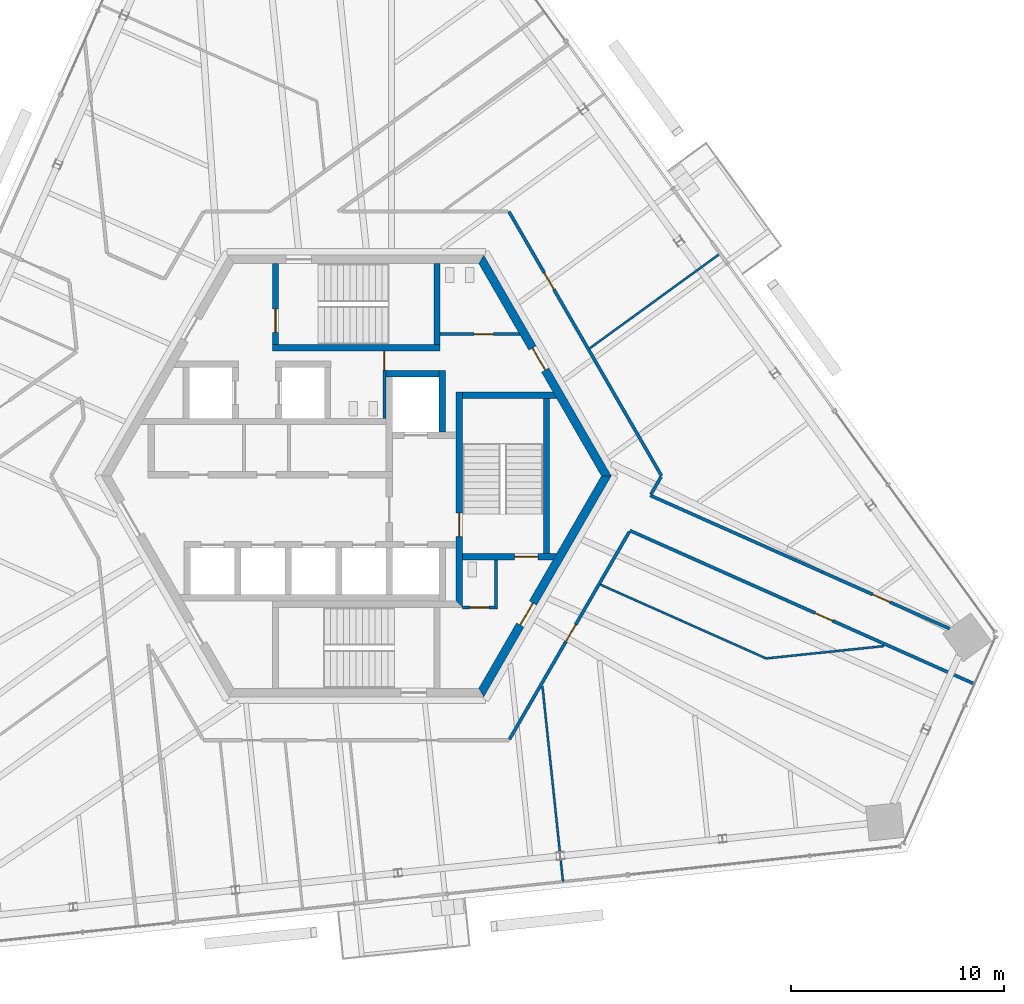
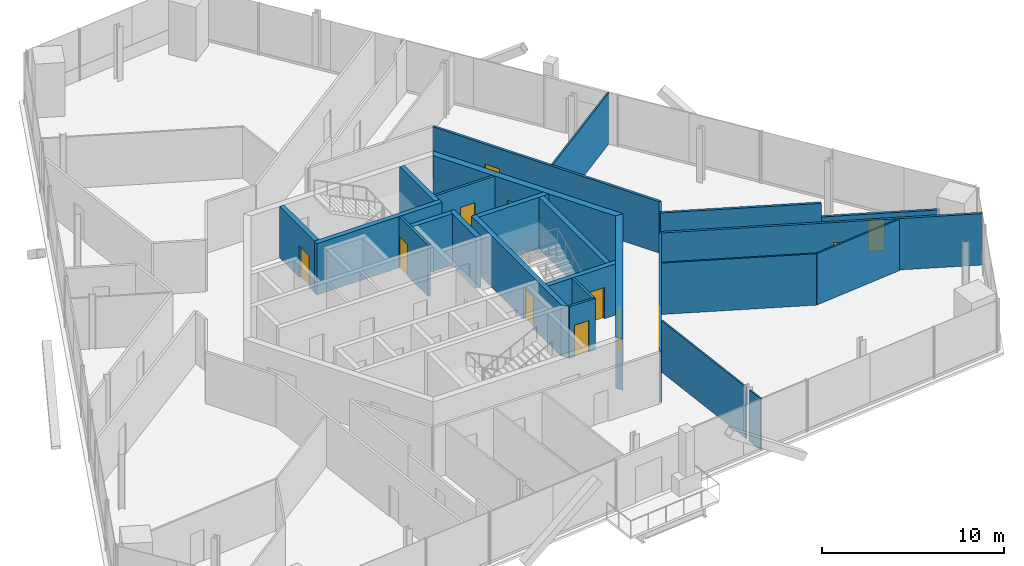
# One storey, part 13 of 18: 26 walls, 12 doors, 12 openings.
"""IFC4 building model written with IfcOpenShell, lengths in metres."""

from ifc_helpers import new_model, si_unit, direction, frame, frame_2d, origin, place, context, subcontext, project, spatial, polyline, rectangle, outline, extrude, source, transform, mapped, material, layer, layer_set, type_object, element, fill, save


model = new_model("IFC4")

# Units and contexts
model_context = context("Model", 3, precision=1e-05, world=origin(), true_north=direction((0.0, 1.0)))
body_context = subcontext(model_context, "Body", "Model", "MODEL_VIEW")
ifc_project = project(units=[si_unit("LENGTHUNIT", "METRE"), si_unit("AREAUNIT", "SQUARE_METRE"), si_unit("VOLUMEUNIT", "CUBIC_METRE"), si_unit("PLANEANGLEUNIT", "RADIAN"), si_unit("MASSUNIT", "GRAM", prefix="KILO")], contexts=[model_context])

# Site, building, storey
site_placement = place(None, origin())
site = spatial("IfcSite", under=ifc_project, at=site_placement, CompositionType="ELEMENT")
building_placement = place(site_placement, origin())
building = spatial("IfcBuilding", under=site, at=building_placement, Name="Triune Harvest Tower", CompositionType="ELEMENT")
storey_placement = place(building_placement, frame((0.0, 0.0, 230.5)))
storey = spatial("IfcBuildingStorey", under=building, at=storey_placement, Name="L60", CompositionType="ELEMENT", Elevation=230.5)

# Walls
ifc_material_1 = material(Name="Gypsum board on steel studs", Category="steel")
ifc_layer_1 = layer(ifc_material_1, 0.10009765625)
ifc_layer_set_1 = layer_set([ifc_layer_1], Name="Gypsum board on steel studs")
wall_type_1 = type_object("IfcWallType", Name="Partition 100 mm", PredefinedType="PARTITIONING", material=ifc_layer_set_1)
wall_1_placement = place(storey_placement, frame((8.761962890625, -9.896484375, 0.0), z_axis=(0.0, 0.0, 1.0), x_axis=(0.104526367367, -0.994522115654, 0.0)))
element("IfcWall", 1, at=wall_1_placement, inside=storey, type_object=wall_type_1, Name="Partition L60 011", PredefinedType="PARTITIONING", context=body_context, shape_type="SweptSolid", body=[
    extrude(rectangle(XDim=7.86181640625, YDim=0.10009765625, at=frame_2d((3.930908203125, 0.0))), origin(), (0.0, 0.0, 1.0), 3.43994140625),
])
wall_2_placement = place(storey_placement, frame((10.974365234375, 5.99560546875, 0.0), z_axis=(0.0, 0.0, 1.0), x_axis=(0.809019334215, 0.587782031766, 0.0)))
element("IfcWall", 2, at=wall_2_placement, inside=storey, type_object=wall_type_1, Name="Partition L60 032", PredefinedType="PARTITIONING", context=body_context, shape_type="SweptSolid", body=[
    extrude(rectangle(XDim=7.60107421875, YDim=0.10009765625, at=frame_2d((3.800537109375, 0.0))), origin(), (0.0, 0.0, 1.0), 3.43994140625),
])

# Wall, opening, door
ifc_material_2 = material(Name="Concrete 70 MPa", Category="concrete")
ifc_layer_2 = layer(ifc_material_2, 0.39990234375)
ifc_layer_set_2 = layer_set([ifc_layer_2], Name="Concrete 70 MPa")
wall_type_2 = type_object("IfcWallType", Name="Core wall 400", PredefinedType="SHEAR", material=ifc_layer_set_2)
shared_shape_1 = source(origin(), body_context, "Body", "SweptSolid", [
    extrude(outline(polyline([(-0.115478515625, -0.199951171875), (11.884521484375, -0.199951171875), (11.653564453125, 0.199951171875), (0.115478515625, 0.199951171875), (-0.115478515625, -0.199951171875)])), origin(), (0.0, 0.0, 1.0), 3.43994140625),
])
wall_3_placement = place(storey_placement, frame((11.76904296875, 0.0, 0.0), z_axis=(0.0, 0.0, 1.0), x_axis=(-0.499996592174, 0.866027371285, 0.0)))
wall_3 = element("IfcWall", 3, at=wall_3_placement, inside=storey, type_object=wall_type_2, Name="Hexagon 0 wall", PredefinedType="SHEAR", context=body_context, shape_type="MappedRepresentation", body=[
    mapped(shared_shape_1, transform((0.0, 0.0, 0.0), scale=1.0)),
])
opening_1_placement = place(wall_3_placement, frame((5.75048828125, 0.0, 0.0)))
opening_1 = element("IfcOpeningElement", 4, at=opening_1_placement, cuts=wall_3, Name="Opening CD-WCP", PredefinedType="OPENING", context=body_context, shape_type="SweptSolid", body=[
    extrude(rectangle(XDim=1.199951171875, YDim=2.10009765625, at=frame_2d((0.60009765625, 1.050048828125))), frame((0.0, 0.2099609375, 0.0), z_axis=(0.0, -1.0, 0.0), x_axis=(1.0, 0.0, 0.0)), (0.0, 0.0, 1.0), 0.419921875),
])
ifc_material_3 = material(Name="Steel S235", Category="steel")
door_type_1 = type_object("IfcDoorType", Name="Lobby door 1200 FD120", OperationType="SINGLE_SWING_LEFT", PredefinedType="DOOR", material=ifc_material_3)
door_1_placement = place(opening_1_placement, frame((1.199951171875, 0.0, 0.0), z_axis=(0.0, 0.0, 1.0), x_axis=(-1.0, 0.0, 0.0)))
door_1 = element("IfcDoor", 5, at=door_1_placement, inside=storey, type_object=door_type_1, Name="Door CD-WCP", OperationType="SINGLE_SWING_RIGHT", OverallHeight=2.10009765625, OverallWidth=1.199951171875, PredefinedType="DOOR", context=body_context, shape_type="SweptSolid", body=[
    extrude(rectangle(XDim=1.199951171875, YDim=2.10009765625, at=frame_2d((0.60009765625, 1.050048828125))), frame((0.0, 0.02490234375, 0.0), z_axis=(0.0, -1.0, 0.0), x_axis=(1.0, 0.0, 0.0)), (0.0, 0.0, 1.0), 0.050048828125),
])
fill(opening_1, door_1)

wall_4_placement = place(storey_placement, frame((5.884521484375, -10.1923828125, 0.0), z_axis=(0.0, 0.0, 1.0), x_axis=(0.499996592174, 0.866027371285, 0.0)))
wall_4 = element("IfcWall", 6, at=wall_4_placement, inside=storey, type_object=wall_type_2, Name="Hexagon 5 wall", PredefinedType="SHEAR", context=body_context, shape_type="MappedRepresentation", body=[
    mapped(shared_shape_1, transform((0.0, 0.0, 0.0), scale=1.0)),
])
opening_2_placement = place(wall_4_placement, frame((3.66455078125, 0.0, 0.0)))
opening_2 = element("IfcOpeningElement", 7, at=opening_2_placement, cuts=wall_4, Name="Opening CD-DP", PredefinedType="OPENING", context=body_context, shape_type="SweptSolid", body=[
    extrude(rectangle(XDim=1.199951171875, YDim=2.10009765625, at=frame_2d((0.60009765625, 1.050048828125))), frame((0.0, 0.2099609375, 0.0), z_axis=(0.0, -1.0, 0.0), x_axis=(1.0, 0.0, 0.0)), (0.0, 0.0, 1.0), 0.419921875),
])
ifc_material_4 = material(Name="Steel S235", Category="steel")
door_type_2 = type_object("IfcDoorType", Name="Stair door 1200 FD120", OperationType="SINGLE_SWING_LEFT", PredefinedType="DOOR", material=ifc_material_4)
door_2_placement = place(opening_2_placement, frame((1.199951171875, 0.0, 0.0), z_axis=(0.0, 0.0, 1.0), x_axis=(-1.0, 0.0, 0.0)))
door_2 = element("IfcDoor", 8, at=door_2_placement, inside=storey, type_object=door_type_2, Name="Door CD-DP", OperationType="SINGLE_SWING_RIGHT", OverallHeight=2.10009765625, OverallWidth=1.199951171875, PredefinedType="DOOR", context=body_context, shape_type="SweptSolid", body=[
    extrude(rectangle(XDim=1.199951171875, YDim=2.10009765625, at=frame_2d((0.60009765625, 1.050048828125))), frame((0.0, 0.02490234375, 0.0), z_axis=(0.0, -1.0, 0.0), x_axis=(1.0, 0.0, 0.0)), (0.0, 0.0, 1.0), 0.050048828125),
])
fill(opening_2, door_2)

# Walls
ifc_material_5 = material(Name="Concrete 70 MPa", Category="concrete")
ifc_layer_3 = layer(ifc_material_5, 0.300048828125)
ifc_layer_set_3 = layer_set([ifc_layer_3], Name="Concrete 70 MPa")
wall_type_3 = type_object("IfcWallType", Name="Core wall 300", PredefinedType="SHEAR", material=ifc_layer_set_3)
shared_shape_2 = source(origin(), body_context, "Body", "SweptSolid", [
    extrude(rectangle(XDim=2.5, YDim=0.300048828125, at=frame_2d((1.25, 0.0))), origin(), (0.0, 0.0, 1.0), 3.43994140625),
])
wall_5_placement = place(storey_placement, frame((1.39990234375, 4.81005859375, 0.0), z_axis=(0.0, 0.0, 1.0), x_axis=(1.0, 0.0, 0.0)))
element("IfcWall", 9, at=wall_5_placement, inside=storey, type_object=wall_type_3, Name="Ff1 back wall", PredefinedType="SHEAR", context=body_context, shape_type="MappedRepresentation", body=[
    mapped(shared_shape_2, transform((0.0, 0.0, 0.0), scale=1.0)),
])
shared_shape_3 = source(origin(), body_context, "Body", "SweptSolid", [
    extrude(rectangle(XDim=2.89990234375, YDim=0.300048828125, at=frame_2d((1.449951171875, 0.0))), origin(), (0.0, 0.0, 1.0), 3.43994140625),
])
wall_6_placement = place(storey_placement, frame((4.050048828125, 2.06005859375, 0.0), z_axis=(0.0, 0.0, 1.0), x_axis=(0.0, 1.0, 0.0)))
element("IfcWall", 10, at=wall_6_placement, inside=storey, type_object=wall_type_3, Name="Ff1 east wall", PredefinedType="SHEAR", context=body_context, shape_type="MappedRepresentation", body=[
    mapped(shared_shape_3, transform((0.0, 0.0, 0.0), scale=1.0)),
])

# Wall, opening, door
shared_shape_4 = source(origin(), body_context, "Body", "SweptSolid", [
    extrude(outline(polyline([(-0.14990234375, -0.14990234375), (9.989990234375, -0.14990234375), (9.989990234375, 0.14990234375), (0.14990234375, 0.14990234375), (-0.14990234375, -0.14990234375)])), origin(), (0.0, 0.0, 1.0), 3.43994140625),
])
wall_7_placement = place(storey_placement, frame((4.85009765625, -6.0400390625, 0.0), z_axis=(0.0, 0.0, 1.0), x_axis=(0.0, 1.0, 0.0)))
wall_7 = element("IfcWall", 11, at=wall_7_placement, inside=storey, type_object=wall_type_3, Name="Stair e west wall", PredefinedType="SHEAR", context=body_context, shape_type="MappedRepresentation", body=[
    mapped(shared_shape_4, transform((0.0, 0.0, 0.0), scale=1.0)),
])
opening_3_placement = place(wall_7_placement, frame((3.18994140625, 0.0, 0.0)))
opening_3 = element("IfcOpeningElement", 12, at=opening_3_placement, cuts=wall_7, Name="Opening CD-S3L", PredefinedType="OPENING", context=body_context, shape_type="SweptSolid", body=[
    extrude(rectangle(XDim=1.10009765625, YDim=2.10009765625, at=frame_2d((0.550048828125, 1.050048828125))), frame((0.0, 0.16015625, 0.0), z_axis=(0.0, -1.0, 0.0), x_axis=(1.0, 0.0, 0.0)), (0.0, 0.0, 1.0), 0.320068359375),
])
ifc_material_6 = material(Name="Steel S235", Category="steel")
door_type_3 = type_object("IfcDoorType", Name="Stair door 1100 FD120", OperationType="SINGLE_SWING_LEFT", PredefinedType="DOOR", material=ifc_material_6)
door_3_placement = place(opening_3_placement, frame((1.10009765625, 0.0, 0.0), z_axis=(0.0, 0.0, 1.0), x_axis=(-1.0, 0.0, 0.0)))
door_3 = element("IfcDoor", 13, at=door_3_placement, inside=storey, type_object=door_type_3, Name="Door CD-S3L", OperationType="SINGLE_SWING_RIGHT", OverallHeight=2.10009765625, OverallWidth=1.10009765625, PredefinedType="DOOR", context=body_context, shape_type="SweptSolid", body=[
    extrude(rectangle(XDim=1.10009765625, YDim=2.10009765625, at=frame_2d((0.550048828125, 1.050048828125))), frame((0.0, 0.02490234375, 0.0), z_axis=(0.0, -1.0, 0.0), x_axis=(1.0, 0.0, 0.0)), (0.0, 0.0, 1.0), 0.050048828125),
])
fill(opening_3, door_3)

# Wall
shared_shape_5 = source(origin(), body_context, "Body", "SweptSolid", [
    extrude(outline(polyline([(0.0, -0.14990234375), (0.0, 0.14990234375), (4.260009765625, 0.14990234375), (4.43310546875, -0.14990234375), (0.0, -0.14990234375)])), origin(), (0.0, 0.0, 1.0), 3.43994140625),
])
wall_8_placement = place(storey_placement, frame((5.0, 3.800048828125, 0.0), z_axis=(0.0, 0.0, 1.0), x_axis=(1.0, 0.0, 0.0)))
element("IfcWall", 14, at=wall_8_placement, inside=storey, type_object=wall_type_3, Name="Stair e north wall", PredefinedType="SHEAR", context=body_context, shape_type="MappedRepresentation", body=[
    mapped(shared_shape_5, transform((0.0, 0.0, 0.0), scale=1.0)),
])

# Wall, opening, door
shared_shape_6 = source(origin(), body_context, "Body", "SweptSolid", [
    extrude(outline(polyline([(0.0, -0.14990234375), (0.0, 0.14990234375), (4.43310546875, 0.14990234375), (4.260009765625, -0.14990234375), (0.0, -0.14990234375)])), origin(), (0.0, 0.0, 1.0), 3.43994140625),
])
wall_9_placement = place(storey_placement, frame((5.0, -3.800048828125, 0.0), z_axis=(0.0, 0.0, 1.0), x_axis=(1.0, 0.0, 0.0)))
wall_9 = element("IfcWall", 15, at=wall_9_placement, inside=storey, type_object=wall_type_3, Name="Stair e south wall", PredefinedType="SHEAR", context=body_context, shape_type="MappedRepresentation", body=[
    mapped(shared_shape_6, transform((0.0, 0.0, 0.0), scale=1.0)),
])
opening_4_placement = place(wall_9_placement, frame((2.449951171875, 0.0, 0.0)))
opening_4 = element("IfcOpeningElement", 16, at=opening_4_placement, cuts=wall_9, Name="Opening CD-S3D", PredefinedType="OPENING", context=body_context, shape_type="SweptSolid", body=[
    extrude(rectangle(XDim=1.10009765625, YDim=2.10009765625, at=frame_2d((0.550048828125, 1.050048828125))), frame((0.0, 0.16015625, 0.0), z_axis=(0.0, -1.0, 0.0), x_axis=(1.0, 0.0, 0.0)), (0.0, 0.0, 1.0), 0.320068359375),
])
door_4_placement = place(opening_4_placement, frame((1.10009765625, 0.0, 0.0), z_axis=(0.0, 0.0, 1.0), x_axis=(-1.0, 0.0, 0.0)))
door_4 = element("IfcDoor", 17, at=door_4_placement, inside=storey, type_object=door_type_3, Name="Door CD-S3D", OperationType="SINGLE_SWING_RIGHT", OverallHeight=2.10009765625, OverallWidth=1.10009765625, PredefinedType="DOOR", context=body_context, shape_type="SweptSolid", body=[
    extrude(rectangle(XDim=1.10009765625, YDim=2.10009765625, at=frame_2d((0.550048828125, 1.050048828125))), frame((0.0, 0.02490234375, 0.0), z_axis=(0.0, -1.0, 0.0), x_axis=(1.0, 0.0, 0.0)), (0.0, 0.0, 1.0), 0.050048828125),
])
fill(opening_4, door_4)

# Walls
shared_shape_7 = source(origin(), body_context, "Body", "SweptSolid", [
    extrude(rectangle(XDim=7.2998046875, YDim=0.300048828125, at=frame_2d((3.64990234375, 0.0))), origin(), (0.0, 0.0, 1.0), 3.43994140625),
])
wall_10_placement = place(storey_placement, frame((8.949951171875, -3.64990234375, 0.0), z_axis=(0.0, 0.0, 1.0), x_axis=(0.0, 1.0, 0.0)))
element("IfcWall", 18, at=wall_10_placement, inside=storey, type_object=wall_type_3, Name="Stair e east wall", PredefinedType="SHEAR", context=body_context, shape_type="MappedRepresentation", body=[
    mapped(shared_shape_7, transform((0.0, 0.0, 0.0), scale=1.0)),
])
shared_shape_8 = source(origin(), body_context, "Body", "SweptSolid", [
    extrude(rectangle(XDim=7.89990234375, YDim=0.300048828125, at=frame_2d((3.949951171875, 0.0))), origin(), (0.0, 0.0, 1.0), 3.43994140625),
])
wall_11_placement = place(storey_placement, frame((-3.949951171875, 6.0400390625, 0.0), z_axis=(0.0, 0.0, 1.0), x_axis=(1.0, 0.0, 0.0)))
element("IfcWall", 19, at=wall_11_placement, inside=storey, type_object=wall_type_3, Name="Stair n south wall", PredefinedType="SHEAR", context=body_context, shape_type="MappedRepresentation", body=[
    mapped(shared_shape_8, transform((0.0, 0.0, 0.0), scale=1.0)),
])

# Wall, opening, door
shared_shape_9 = source(origin(), body_context, "Body", "SweptSolid", [
    extrude(outline(polyline([(0.0, -0.14990234375), (0.0, 0.14990234375), (3.80419921875, 0.14990234375), (3.80419921875, -0.14990234375), (0.0, -0.14990234375)])), origin(), (0.0, 0.0, 1.0), 3.43994140625),
])
wall_12_placement = place(storey_placement, frame((-3.800048828125, 6.18994140625, 0.0), z_axis=(0.0, 0.0, 1.0), x_axis=(0.0, 1.0, 0.0)))
wall_12 = element("IfcWall", 20, at=wall_12_placement, inside=storey, type_object=wall_type_3, Name="Stair n west wall", PredefinedType="SHEAR", context=body_context, shape_type="MappedRepresentation", body=[
    mapped(shared_shape_9, transform((0.0, 0.0, 0.0), scale=1.0)),
])
opening_5_placement = place(wall_12_placement, frame((0.56005859375, 0.0, 0.0)))
opening_5 = element("IfcOpeningElement", 21, at=opening_5_placement, cuts=wall_12, Name="Opening CD-S1L", PredefinedType="OPENING", context=body_context, shape_type="SweptSolid", body=[
    extrude(rectangle(XDim=1.10009765625, YDim=2.10009765625, at=frame_2d((0.550048828125, 1.050048828125))), frame((0.0, 0.16015625, 0.0), z_axis=(0.0, -1.0, 0.0), x_axis=(1.0, 0.0, 0.0)), (0.0, 0.0, 1.0), 0.320068359375),
])
door_5_placement = place(opening_5_placement, frame((1.10009765625, 0.0, 0.0), z_axis=(0.0, 0.0, 1.0), x_axis=(-1.0, 0.0, 0.0)))
door_5 = element("IfcDoor", 22, at=door_5_placement, inside=storey, type_object=door_type_3, Name="Door CD-S1L", OperationType="SINGLE_SWING_RIGHT", OverallHeight=2.10009765625, OverallWidth=1.10009765625, PredefinedType="DOOR", context=body_context, shape_type="SweptSolid", body=[
    extrude(rectangle(XDim=1.10009765625, YDim=2.10009765625, at=frame_2d((0.550048828125, 1.050048828125))), frame((0.0, 0.02490234375, 0.0), z_axis=(0.0, -1.0, 0.0), x_axis=(1.0, 0.0, 0.0)), (0.0, 0.0, 1.0), 0.050048828125),
])
fill(opening_5, door_5)

# Wall
wall_13_placement = place(storey_placement, frame((3.800048828125, 6.18994140625, 0.0), z_axis=(0.0, 0.0, 1.0), x_axis=(0.0, 1.0, 0.0)))
element("IfcWall", 23, at=wall_13_placement, inside=storey, type_object=wall_type_3, Name="Stair n east wall", PredefinedType="SHEAR", context=body_context, shape_type="MappedRepresentation", body=[
    mapped(shared_shape_9, transform((0.0, 0.0, 0.0), scale=1.0)),
])

# Wall, opening, door
ifc_material_7 = material(Name="Concrete masonry unit", Category="masonry")
ifc_layer_4 = layer(ifc_material_7, 0.14990234375)
ifc_layer_set_4 = layer_set([ifc_layer_4], Name="Concrete masonry unit")
wall_type_4 = type_object("IfcWallType", Name="Block partition 150 unrated", PredefinedType="PARTITIONING", material=ifc_layer_set_4)
shared_shape_10 = source(origin(), body_context, "Body", "SweptSolid", [
    extrude(rectangle(XDim=3.179931640625, YDim=0.14990234375, at=frame_2d((1.58984375, 0.0))), origin(), (0.0, 0.0, 1.0), 3.43994140625),
])
wall_14_placement = place(storey_placement, frame((1.324951171875, 2.7099609375, 0.0), z_axis=(0.0, 0.0, 1.0), x_axis=(0.0, 1.0, 0.0)))
wall_14 = element("IfcWall", 24, at=wall_14_placement, inside=storey, type_object=wall_type_4, Name="Wc men east wall", PredefinedType="PARTITIONING", context=body_context, shape_type="MappedRepresentation", body=[
    mapped(shared_shape_10, transform((0.0, 0.0, 0.0), scale=1.0)),
])
opening_6_placement = place(wall_14_placement, frame((2.264892578125, 0.0, 0.0)))
opening_6 = element("IfcOpeningElement", 25, at=opening_6_placement, cuts=wall_14, Name="Opening CD-WM", PredefinedType="OPENING", context=body_context, shape_type="SweptSolid", body=[
    extrude(rectangle(XDim=0.89990234375, YDim=2.10009765625, at=frame_2d((0.449951171875, 1.050048828125))), frame((0.0, 0.0849609375, 0.0), z_axis=(0.0, -1.0, 0.0), x_axis=(1.0, 0.0, 0.0)), (0.0, 0.0, 1.0), 0.169921875),
])
ifc_material_8 = material(Name="Timber C24", Category="wood")
door_type_4 = type_object("IfcDoorType", Name="WC door 900", OperationType="SINGLE_SWING_LEFT", PredefinedType="DOOR", material=ifc_material_8)
door_6_placement = place(opening_6_placement, origin())
door_6 = element("IfcDoor", 26, at=door_6_placement, inside=storey, type_object=door_type_4, Name="Door CD-WM", OperationType="SINGLE_SWING_LEFT", OverallHeight=2.10009765625, OverallWidth=0.89990234375, PredefinedType="DOOR", context=body_context, shape_type="SweptSolid", body=[
    extrude(rectangle(XDim=0.89990234375, YDim=2.10009765625, at=frame_2d((0.449951171875, 1.050048828125))), frame((0.0, 0.02490234375, 0.0), z_axis=(0.0, -1.0, 0.0), x_axis=(1.0, 0.0, 0.0)), (0.0, 0.0, 1.0), 0.050048828125),
])
fill(opening_6, door_6)

shared_shape_11 = source(origin(), body_context, "Body", "SweptSolid", [
    extrude(outline(polyline([(0.0, -0.074951171875), (0.0, 0.074951171875), (3.693359375, 0.074951171875), (3.77978515625, -0.074951171875), (0.0, -0.074951171875)])), origin(), (0.0, 0.0, 1.0), 3.43994140625),
])
wall_15_placement = place(storey_placement, frame((3.949951171875, 6.675048828125, 0.0), z_axis=(0.0, 0.0, 1.0), x_axis=(1.0, 0.0, 0.0)))
wall_15 = element("IfcWall", 27, at=wall_15_placement, inside=storey, type_object=wall_type_4, Name="Wc women south wall", PredefinedType="PARTITIONING", context=body_context, shape_type="MappedRepresentation", body=[
    mapped(shared_shape_11, transform((0.0, 0.0, 0.0), scale=1.0)),
])
opening_7_placement = place(wall_15_placement, frame((1.60009765625, 0.0, 0.0)))
opening_7 = element("IfcOpeningElement", 28, at=opening_7_placement, cuts=wall_15, Name="Opening CD-WW", PredefinedType="OPENING", context=body_context, shape_type="SweptSolid", body=[
    extrude(rectangle(XDim=0.89990234375, YDim=2.10009765625, at=frame_2d((0.449951171875, 1.050048828125))), frame((0.0, 0.0849609375, 0.0), z_axis=(0.0, -1.0, 0.0), x_axis=(1.0, 0.0, 0.0)), (0.0, 0.0, 1.0), 0.169921875),
])
door_7_placement = place(opening_7_placement, origin())
door_7 = element("IfcDoor", 29, at=door_7_placement, inside=storey, type_object=door_type_4, Name="Door CD-WW", OperationType="SINGLE_SWING_LEFT", OverallHeight=2.10009765625, OverallWidth=0.89990234375, PredefinedType="DOOR", context=body_context, shape_type="SweptSolid", body=[
    extrude(rectangle(XDim=0.89990234375, YDim=2.10009765625, at=frame_2d((0.449951171875, 1.050048828125))), frame((0.0, 0.02490234375, 0.0), z_axis=(0.0, -1.0, 0.0), x_axis=(1.0, 0.0, 0.0)), (0.0, 0.0, 1.0), 0.050048828125),
])
fill(opening_7, door_7)

shared_shape_12 = source(origin(), body_context, "Body", "SweptSolid", [
    extrude(outline(polyline([(0.0, -0.074951171875), (1.64990234375, -0.074951171875), (1.5, 0.074951171875), (0.0, 0.074951171875), (0.0, -0.074951171875)])), origin(), (0.0, 0.0, 1.0), 3.43994140625),
])
wall_16_placement = place(storey_placement, frame((5.0, -6.18994140625, 0.0), z_axis=(0.0, 0.0, 1.0), x_axis=(1.0, 0.0, 0.0)))
wall_16 = element("IfcWall", 30, at=wall_16_placement, inside=storey, type_object=wall_type_4, Name="Wc acc south wall", PredefinedType="PARTITIONING", context=body_context, shape_type="MappedRepresentation", body=[
    mapped(shared_shape_12, transform((0.0, 0.0, 0.0), scale=1.0)),
])
opening_8_placement = place(wall_16_placement, frame((0.33740234375, 0.0, 0.0)))
opening_8 = element("IfcOpeningElement", 31, at=opening_8_placement, cuts=wall_16, Name="Opening CD-WA", PredefinedType="OPENING", context=body_context, shape_type="SweptSolid", body=[
    extrude(rectangle(XDim=0.89990234375, YDim=2.10009765625, at=frame_2d((0.449951171875, 1.050048828125))), frame((0.0, 0.0849609375, 0.0), z_axis=(0.0, -1.0, 0.0), x_axis=(1.0, 0.0, 0.0)), (0.0, 0.0, 1.0), 0.169921875),
])
door_8_placement = place(opening_8_placement, origin())
door_8 = element("IfcDoor", 32, at=door_8_placement, inside=storey, type_object=door_type_4, Name="Door CD-WA", OperationType="SINGLE_SWING_LEFT", OverallHeight=2.10009765625, OverallWidth=0.89990234375, PredefinedType="DOOR", context=body_context, shape_type="SweptSolid", body=[
    extrude(rectangle(XDim=0.89990234375, YDim=2.10009765625, at=frame_2d((0.449951171875, 1.050048828125))), frame((0.0, 0.02490234375, 0.0), z_axis=(0.0, -1.0, 0.0), x_axis=(1.0, 0.0, 0.0)), (0.0, 0.0, 1.0), 0.050048828125),
])
fill(opening_8, door_8)

# Wall
shared_shape_13 = source(origin(), body_context, "Body", "SweptSolid", [
    extrude(outline(polyline([(-0.074951171875, -0.074951171875), (2.239990234375, -0.074951171875), (2.239990234375, 0.074951171875), (0.074951171875, 0.074951171875), (-0.074951171875, -0.074951171875)])), origin(), (0.0, 0.0, 1.0), 3.43994140625),
])
wall_17_placement = place(storey_placement, frame((6.574951171875, -6.18994140625, 0.0), z_axis=(0.0, 0.0, 1.0), x_axis=(0.0, 1.0, 0.0)))
element("IfcWall", 33, at=wall_17_placement, inside=storey, type_object=wall_type_4, Name="Wc acc east wall", PredefinedType="PARTITIONING", context=body_context, shape_type="MappedRepresentation", body=[
    mapped(shared_shape_13, transform((0.0, 0.0, 0.0), scale=1.0)),
])

# Wall, opening, door
ifc_material_9 = material(Name="Gypsum board on steel studs", Category="steel")
ifc_layer_5 = layer(ifc_material_9, 0.14990234375)
ifc_layer_set_5 = layer_set([ifc_layer_5], Name="Gypsum board on steel studs")
wall_type_5 = type_object("IfcWallType", Name="Fire Partition 150 mm", PredefinedType="PARTITIONING", material=ifc_layer_set_5)
shared_shape_14 = source(origin(), body_context, "Body", "SweptSolid", [
    extrude(rectangle(XDim=14.3671875, YDim=0.14990234375, at=frame_2d((7.18359375, 0.0))), origin(), (0.0, 0.0, 1.0), 3.43994140625),
])
wall_18_placement = place(storey_placement, frame((7.18359375, 12.4423828125, 0.0), z_axis=(0.0, 0.0, 1.0), x_axis=(0.499998991654, -0.866025985952, 0.0)))
wall_18 = element("IfcWall", 34, at=wall_18_placement, inside=storey, type_object=wall_type_5, Name="Partition L60 015", PredefinedType="PARTITIONING", context=body_context, shape_type="MappedRepresentation", body=[
    mapped(shared_shape_14, transform((0.0, 0.0, 0.0), scale=1.0)),
])
opening_9_placement = place(wall_18_placement, frame((3.334716796875, 0.0, 0.0)))
opening_9 = element("IfcOpeningElement", 35, at=opening_9_placement, cuts=wall_18, Name="Opening L60-003", PredefinedType="OPENING", context=body_context, shape_type="SweptSolid", body=[
    extrude(rectangle(XDim=0.89990234375, YDim=2.10009765625, at=frame_2d((0.449951171875, 1.050048828125))), frame((0.0, 0.0849609375, 0.0), z_axis=(0.0, -1.0, 0.0), x_axis=(1.0, 0.0, 0.0)), (0.0, 0.0, 1.0), 0.169921875),
])
ifc_material_10 = material(Name="Timber and steel door set", Category="steel")
door_type_5 = type_object("IfcDoorType", Name="Single leaf door FD30 left hand 900 x 2100", OperationType="SINGLE_SWING_LEFT", PredefinedType="DOOR", material=ifc_material_10)
door_9_placement = place(opening_9_placement, origin())
door_9 = element("IfcDoor", 36, at=door_9_placement, inside=storey, type_object=door_type_5, Name="Door L60-003 Project Room 60.03", OperationType="SINGLE_SWING_LEFT", OverallHeight=2.10009765625, OverallWidth=0.89990234375, PredefinedType="DOOR", context=body_context, shape_type="SweptSolid", body=[
    extrude(rectangle(XDim=0.89990234375, YDim=2.10009765625, at=frame_2d((0.449951171875, 1.050048828125))), frame((0.0, 0.02490234375, 0.0), z_axis=(0.0, -1.0, 0.0), x_axis=(1.0, 0.0, 0.0)), (0.0, 0.0, 1.0), 0.050048828125),
])
fill(opening_9, door_9)

# Walls
shared_shape_15 = source(origin(), body_context, "Body", "SweptSolid", [
    extrude(rectangle(XDim=1.0478515625, YDim=0.10009765625, at=frame_2d((0.52392578125, 0.0))), origin(), (0.0, 0.0, 1.0), 3.43994140625),
])
wall_19_placement = place(storey_placement, frame((9.618896484375, -18.04931640625, 0.0), z_axis=(0.0, 0.0, 1.0), x_axis=(0.104624136351, -0.994511835069, 0.0)))
element("IfcWall", 37, at=wall_19_placement, inside=storey, type_object=wall_type_1, Name="Partition L60 012", PredefinedType="PARTITIONING", context=body_context, shape_type="MappedRepresentation", body=[
    mapped(shared_shape_15, transform((0.0, 0.0, 0.0), scale=1.0)),
])
shared_shape_16 = source(origin(), body_context, "Body", "SweptSolid", [
    extrude(rectangle(XDim=8.544921875, YDim=0.10009765625, at=frame_2d((4.2724609375, 0.0))), origin(), (0.0, 0.0, 1.0), 3.43994140625),
])
wall_20_placement = place(storey_placement, frame((11.48388671875, -5.113037109375, 0.0), z_axis=(0.0, 0.0, 1.0), x_axis=(0.913553334727, -0.406718950392, 0.0)))
element("IfcWall", 38, at=wall_20_placement, inside=storey, type_object=wall_type_1, Name="Partition L60 018", PredefinedType="PARTITIONING", context=body_context, shape_type="MappedRepresentation", body=[
    mapped(shared_shape_16, transform((0.0, 0.0, 0.0), scale=1.0)),
])

# Wall, opening, door
shared_shape_17 = source(origin(), body_context, "Body", "SweptSolid", [
    extrude(rectangle(XDim=17.74658203125, YDim=0.14990234375, at=frame_2d((8.873291015625, 0.0))), origin(), (0.0, 0.0, 1.0), 3.43994140625),
])
wall_21_placement = place(storey_placement, frame((12.882080078125, -2.572509765625, 0.0), z_axis=(0.0, 0.0, 1.0), x_axis=(0.913549833627, -0.406726814312, 0.0)))
wall_21 = element("IfcWall", 39, at=wall_21_placement, inside=storey, type_object=wall_type_5, Name="Partition L60 020", PredefinedType="PARTITIONING", context=body_context, shape_type="MappedRepresentation", body=[
    mapped(shared_shape_17, transform((0.0, 0.0, 0.0), scale=1.0)),
])
opening_10_placement = place(wall_21_placement, frame((9.538818359375, 0.0, 0.0)))
opening_10 = element("IfcOpeningElement", 40, at=opening_10_placement, cuts=wall_21, Name="Opening L60-001", PredefinedType="OPENING", context=body_context, shape_type="SweptSolid", body=[
    extrude(rectangle(XDim=0.89990234375, YDim=2.10009765625, at=frame_2d((0.449951171875, 1.050048828125))), frame((0.0, 0.0849609375, 0.0), z_axis=(0.0, -1.0, 0.0), x_axis=(1.0, 0.0, 0.0)), (0.0, 0.0, 1.0), 0.169921875),
])
door_10_placement = place(opening_10_placement, origin())
door_10 = element("IfcDoor", 41, at=door_10_placement, inside=storey, type_object=door_type_5, Name="Door L60-001 Dry Store Room 60.01", OperationType="SINGLE_SWING_LEFT", OverallHeight=2.10009765625, OverallWidth=0.89990234375, PredefinedType="DOOR", context=body_context, shape_type="SweptSolid", body=[
    extrude(rectangle(XDim=0.89990234375, YDim=2.10009765625, at=frame_2d((0.449951171875, 1.050048828125))), frame((0.0, 0.02490234375, 0.0), z_axis=(0.0, -1.0, 0.0), x_axis=(1.0, 0.0, 0.0)), (0.0, 0.0, 1.0), 0.050048828125),
])
fill(opening_10, door_10)

# Wall
shared_shape_18 = source(origin(), body_context, "Body", "SweptSolid", [
    extrude(rectangle(XDim=8.864501953125, YDim=0.14990234375, at=frame_2d((4.43212890625, 0.0))), origin(), (0.0, 0.0, 1.0), 3.43994140625),
])
wall_22_placement = place(storey_placement, frame((13.837158203125, -0.917724609375, 0.0), z_axis=(0.0, 0.0, 1.0), x_axis=(0.913547867559, -0.406731230272, 0.0)))
element("IfcWall", 42, at=wall_22_placement, inside=storey, type_object=wall_type_5, Name="Partition L60 022", PredefinedType="PARTITIONING", context=body_context, shape_type="MappedRepresentation", body=[
    mapped(shared_shape_18, transform((0.0, 0.0, 0.0), scale=1.0)),
])

# Wall, opening, door
shared_shape_19 = source(origin(), body_context, "Body", "SweptSolid", [
    extrude(rectangle(XDim=6.5478515625, YDim=0.14990234375, at=frame_2d((3.27392578125, 0.0))), origin(), (0.0, 0.0, 1.0), 2.525634765625),
])
wall_23_placement = place(storey_placement, frame((21.935302734375, -4.523193359375, 0.0), z_axis=(0.0, 0.0, 1.0), x_axis=(0.913539195618, -0.406750707522, 0.0)))
wall_23 = element("IfcWall", 43, at=wall_23_placement, inside=storey, type_object=wall_type_5, Name="Partition L60 022a", PredefinedType="PARTITIONING", context=body_context, shape_type="MappedRepresentation", body=[
    mapped(shared_shape_19, transform((0.0, 0.0, 0.0), scale=1.0)),
])
opening_11_placement = place(wall_23_placement, frame((2.582763671875, 0.0, 0.0)))
opening_11 = element("IfcOpeningElement", 44, at=opening_11_placement, cuts=wall_23, Name="Opening L60-002", PredefinedType="OPENING", context=body_context, shape_type="SweptSolid", body=[
    extrude(rectangle(XDim=0.89990234375, YDim=2.10009765625, at=frame_2d((0.449951171875, 1.050048828125))), frame((0.0, 0.0849609375, 0.0), z_axis=(0.0, -1.0, 0.0), x_axis=(1.0, 0.0, 0.0)), (0.0, 0.0, 1.0), 0.169921875),
])
ifc_material_11 = material(Name="Timber and steel door set", Category="steel")
door_type_6 = type_object("IfcDoorType", Name="Single leaf door FD30 right hand 900 x 2100", OperationType="SINGLE_SWING_RIGHT", PredefinedType="DOOR", material=ifc_material_11)
door_11_placement = place(opening_11_placement, origin())
door_11 = element("IfcDoor", 45, at=door_11_placement, inside=storey, type_object=door_type_6, Name="Door L60-002 Open Office 60.02", OperationType="SINGLE_SWING_RIGHT", OverallHeight=2.10009765625, OverallWidth=0.89990234375, PredefinedType="DOOR", context=body_context, shape_type="SweptSolid", body=[
    extrude(rectangle(XDim=0.89990234375, YDim=2.10009765625, at=frame_2d((0.449951171875, 1.050048828125))), frame((0.0, 0.02490234375, 0.0), z_axis=(0.0, -1.0, 0.0), x_axis=(1.0, 0.0, 0.0)), (0.0, 0.0, 1.0), 0.050048828125),
])
fill(opening_11, door_11)

# Wall
shared_shape_20 = source(origin(), body_context, "Body", "SweptSolid", [
    extrude(rectangle(XDim=5.579345703125, YDim=0.10009765625, at=frame_2d((2.78955078125, 0.0))), origin(), (0.0, 0.0, 1.0), 3.43994140625),
])
wall_24_placement = place(storey_placement, frame((19.2900390625, -8.58837890625, 0.0), z_axis=(0.0, 0.0, 1.0), x_axis=(0.994525575058, 0.104493447432, 0.0)))
element("IfcWall", 46, at=wall_24_placement, inside=storey, type_object=wall_type_1, Name="Partition L60 030", PredefinedType="PARTITIONING", context=body_context, shape_type="MappedRepresentation", body=[
    mapped(shared_shape_20, transform((0.0, 0.0, 0.0), scale=1.0)),
])

# Wall, opening, door
shared_shape_21 = source(origin(), body_context, "Body", "SweptSolid", [
    extrude(rectangle(XDim=11.287353515625, YDim=0.14990234375, at=frame_2d((5.6435546875, 0.0))), origin(), (0.0, 0.0, 1.0), 3.43994140625),
])
wall_25_placement = place(storey_placement, frame((7.20849609375, -12.399169921875, 0.0), z_axis=(0.0, 0.0, 1.0), x_axis=(0.499991443904, 0.866030343592, 0.0)))
wall_25 = element("IfcWall", 47, at=wall_25_placement, inside=storey, type_object=wall_type_5, Name="Partition L60 041", PredefinedType="PARTITIONING", context=body_context, shape_type="MappedRepresentation", body=[
    mapped(shared_shape_21, transform((0.0, 0.0, 0.0), scale=1.0)),
])
opening_12_placement = place(wall_25_placement, frame((5.323486328125, 0.0, 0.0)))
opening_12 = element("IfcOpeningElement", 48, at=opening_12_placement, cuts=wall_25, Name="Opening L60-016", PredefinedType="OPENING", context=body_context, shape_type="SweptSolid", body=[
    extrude(rectangle(XDim=0.89990234375, YDim=2.10009765625, at=frame_2d((0.449951171875, 1.050048828125))), frame((0.0, 0.0849609375, 0.0), z_axis=(0.0, -1.0, 0.0), x_axis=(1.0, 0.0, 0.0)), (0.0, 0.0, 1.0), 0.169921875),
])
door_12_placement = place(opening_12_placement, origin())
door_12 = element("IfcDoor", 49, at=door_12_placement, inside=storey, type_object=door_type_5, Name="Door L60-016 Office 60.16", OperationType="SINGLE_SWING_LEFT", OverallHeight=2.10009765625, OverallWidth=0.89990234375, PredefinedType="DOOR", context=body_context, shape_type="SweptSolid", body=[
    extrude(rectangle(XDim=0.89990234375, YDim=2.10009765625, at=frame_2d((0.449951171875, 1.050048828125))), frame((0.0, 0.02490234375, 0.0), z_axis=(0.0, -1.0, 0.0), x_axis=(1.0, 0.0, 0.0)), (0.0, 0.0, 1.0), 0.050048828125),
])
fill(opening_12, door_12)

# Wall
shared_shape_22 = source(origin(), body_context, "Body", "SweptSolid", [
    extrude(rectangle(XDim=0.94970703125, YDim=0.14990234375, at=frame_2d((0.474853515625, 0.0))), origin(), (0.0, 0.0, 1.0), 3.43994140625),
])
wall_26_placement = place(storey_placement, frame((13.8671875, -0.865966796875, 0.0), z_axis=(0.0, 0.0, 1.0), x_axis=(0.499982058975, 0.866035761792, 0.0)))
element("IfcWall", 50, at=wall_26_placement, inside=storey, type_object=wall_type_5, Name="Partition L60 042", PredefinedType="PARTITIONING", context=body_context, shape_type="MappedRepresentation", body=[
    mapped(shared_shape_22, transform((0.0, 0.0, 0.0), scale=1.0)),
])

save(model, "model.ifc")
